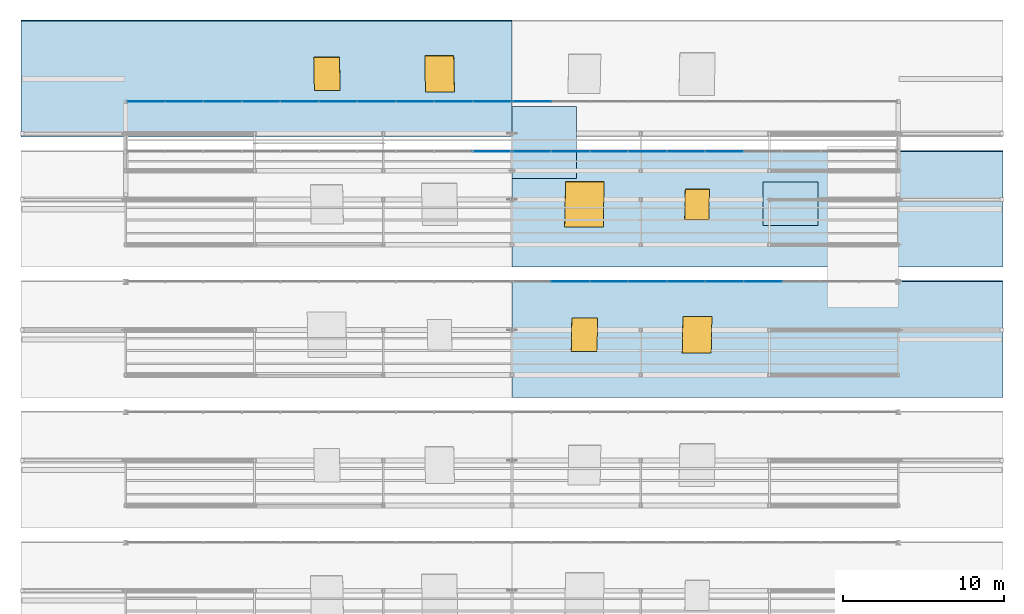
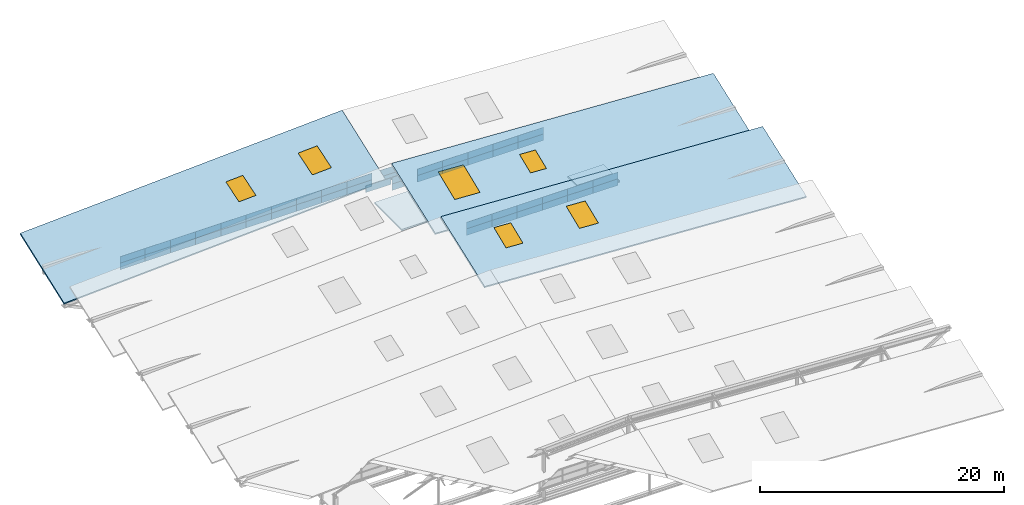
# One storey, part 130 of 141: 47 plates, 6 windows, 5 slabs, 6 openings, 6 elements without a shape of their own.
"""IFC4 building model written with IfcOpenShell, lengths in metres."""

from ifc_helpers import new_model, si_unit, direction, frame, origin, origin_2d, place, context, subcontext, project, spatial, polyline, rectangle, outline, extrude, material, layer, layer_set, type_object, element, fill, aggregate, save


model = new_model("IFC4")

# Units and contexts
model_context = context("Model", 3, precision=1e-05, world=origin(), true_north=direction((0.0, 1.0)))
body_context = subcontext(model_context, "Body", "Model", "MODEL_VIEW")
ifc_project = project(units=[si_unit("LENGTHUNIT", "METRE"), si_unit("AREAUNIT", "SQUARE_METRE"), si_unit("VOLUMEUNIT", "CUBIC_METRE"), si_unit("PLANEANGLEUNIT", "RADIAN"), si_unit("MASSUNIT", "GRAM", prefix="KILO")], contexts=[model_context])

# Site, building, storey
site_placement = place(None, origin())
site = spatial("IfcSite", under=ifc_project, at=site_placement, CompositionType="ELEMENT")
building_placement = place(site_placement, origin())
building = spatial("IfcBuilding", under=site, at=building_placement, Name="Sundkrona Museum", CompositionType="ELEMENT")
storey_placement = place(building_placement, frame((0.0, 0.0, 34.0)))
storey = spatial("IfcBuildingStorey", under=building, at=storey_placement, Name="RF", CompositionType="ELEMENT", Elevation=34.0)

# Curtain wall, plates
ifc_material_1 = material(Name="Unitised Aluminium-Steel and Ceramic-Clad Curtain Walling", Category="steel")
curtain_wall_type = type_object("IfcCurtainWallType", Name="CW-SW-240x13", PredefinedType="NOTDEFINED", material=ifc_material_1)
curtain_wall_1_placement = place(storey_placement, origin())
curtain_wall_1 = element("IfcCurtainWall", 1, at=curtain_wall_1_placement, inside=storey, type_object=curtain_wall_type, Name="Sawtooth Bay 5 East North-Light Clerestory", PredefinedType="NOTDEFINED")
ifc_material_2 = material(Name="North-Light Diffusing Triple Glazing 32 mm", Category="glass")
ifc_layer_1 = layer(ifc_material_2, 0.031982421875)
ifc_layer_set_1 = layer_set([ifc_layer_1], Name="North-Light Diffusing Triple Glazing 32 mm")
plate_type = type_object("IfcPlateType", Name="PN-GL-02", PredefinedType="CURTAIN_PANEL", material=ifc_layer_set_1)
plate_1_placement = place(storey_placement, frame((147.635009765625, 34.60009765625, 3.89306640625), z_axis=(0.0, 0.0, 1.0), x_axis=(1.0, 0.0, 0.0)))
plate_1 = element("IfcPlate", 2, at=plate_1_placement, type_object=plate_type, Name="CW-RF-SAW-05E Panel 03", PredefinedType="CURTAIN_PANEL", context=body_context, shape_type="SweptSolid", body=[
    extrude(rectangle(XDim=2.389892578125, YDim=0.031982421875, at=origin_2d()), origin(), (0.0, 0.0, 1.0), 0.659912109375),
])
plate_2_placement = place(storey_placement, frame((147.635009765625, 34.60009765625, 4.55322265625), z_axis=(0.0, 0.0, 1.0), x_axis=(1.0, 0.0, 0.0)))
plate_2 = element("IfcPlate", 3, at=plate_2_placement, type_object=plate_type, Name="CW-RF-SAW-05E Panel 04", PredefinedType="CURTAIN_PANEL", context=body_context, shape_type="SweptSolid", body=[
    extrude(rectangle(XDim=2.389892578125, YDim=0.031982421875, at=origin_2d()), origin(), (0.0, 0.0, 1.0), 0.659912109375),
])
plate_3_placement = place(storey_placement, frame((150.02490234375, 34.60009765625, 3.89306640625), z_axis=(0.0, 0.0, 1.0), x_axis=(1.0, 0.0, 0.0)))
plate_3 = element("IfcPlate", 4, at=plate_3_placement, type_object=plate_type, Name="CW-RF-SAW-05E Panel 05", PredefinedType="CURTAIN_PANEL", context=body_context, shape_type="SweptSolid", body=[
    extrude(rectangle(XDim=2.389892578125, YDim=0.031982421875, at=origin_2d()), origin(), (0.0, 0.0, 1.0), 0.659912109375),
])
plate_4_placement = place(storey_placement, frame((150.02490234375, 34.60009765625, 4.55322265625), z_axis=(0.0, 0.0, 1.0), x_axis=(1.0, 0.0, 0.0)))
plate_4 = element("IfcPlate", 5, at=plate_4_placement, type_object=plate_type, Name="CW-RF-SAW-05E Panel 06", PredefinedType="CURTAIN_PANEL", context=body_context, shape_type="SweptSolid", body=[
    extrude(rectangle(XDim=2.389892578125, YDim=0.031982421875, at=origin_2d()), origin(), (0.0, 0.0, 1.0), 0.659912109375),
])
plate_5_placement = place(storey_placement, frame((152.4150390625, 34.60009765625, 3.89306640625), z_axis=(0.0, 0.0, 1.0), x_axis=(1.0, 0.0, 0.0)))
plate_5 = element("IfcPlate", 6, at=plate_5_placement, type_object=plate_type, Name="CW-RF-SAW-05E Panel 07", PredefinedType="CURTAIN_PANEL", context=body_context, shape_type="SweptSolid", body=[
    extrude(rectangle(XDim=2.389892578125, YDim=0.031982421875, at=origin_2d()), origin(), (0.0, 0.0, 1.0), 0.659912109375),
])
plate_6_placement = place(storey_placement, frame((152.4150390625, 34.60009765625, 4.55322265625), z_axis=(0.0, 0.0, 1.0), x_axis=(1.0, 0.0, 0.0)))
plate_6 = element("IfcPlate", 7, at=plate_6_placement, type_object=plate_type, Name="CW-RF-SAW-05E Panel 08", PredefinedType="CURTAIN_PANEL", context=body_context, shape_type="SweptSolid", body=[
    extrude(rectangle(XDim=2.389892578125, YDim=0.031982421875, at=origin_2d()), origin(), (0.0, 0.0, 1.0), 0.659912109375),
])
plate_7_placement = place(storey_placement, frame((154.804931640625, 34.60009765625, 3.89306640625), z_axis=(0.0, 0.0, 1.0), x_axis=(1.0, 0.0, 0.0)))
plate_7 = element("IfcPlate", 8, at=plate_7_placement, type_object=plate_type, Name="CW-RF-SAW-05E Panel 09", PredefinedType="CURTAIN_PANEL", context=body_context, shape_type="SweptSolid", body=[
    extrude(rectangle(XDim=2.389892578125, YDim=0.031982421875, at=origin_2d()), origin(), (0.0, 0.0, 1.0), 0.659912109375),
])
plate_8_placement = place(storey_placement, frame((154.804931640625, 34.60009765625, 4.55322265625), z_axis=(0.0, 0.0, 1.0), x_axis=(1.0, 0.0, 0.0)))
plate_8 = element("IfcPlate", 9, at=plate_8_placement, type_object=plate_type, Name="CW-RF-SAW-05E Panel 10", PredefinedType="CURTAIN_PANEL", context=body_context, shape_type="SweptSolid", body=[
    extrude(rectangle(XDim=2.389892578125, YDim=0.031982421875, at=origin_2d()), origin(), (0.0, 0.0, 1.0), 0.659912109375),
])
plate_9_placement = place(storey_placement, frame((157.195068359375, 34.60009765625, 3.89306640625), z_axis=(0.0, 0.0, 1.0), x_axis=(1.0, 0.0, 0.0)))
plate_9 = element("IfcPlate", 10, at=plate_9_placement, type_object=plate_type, Name="CW-RF-SAW-05E Panel 11", PredefinedType="CURTAIN_PANEL", context=body_context, shape_type="SweptSolid", body=[
    extrude(rectangle(XDim=2.389892578125, YDim=0.031982421875, at=origin_2d()), origin(), (0.0, 0.0, 1.0), 0.659912109375),
])
plate_10_placement = place(storey_placement, frame((157.195068359375, 34.60009765625, 4.55322265625), z_axis=(0.0, 0.0, 1.0), x_axis=(1.0, 0.0, 0.0)))
plate_10 = element("IfcPlate", 11, at=plate_10_placement, type_object=plate_type, Name="CW-RF-SAW-05E Panel 12", PredefinedType="CURTAIN_PANEL", context=body_context, shape_type="SweptSolid", body=[
    extrude(rectangle(XDim=2.389892578125, YDim=0.031982421875, at=origin_2d()), origin(), (0.0, 0.0, 1.0), 0.659912109375),
])
plate_11_placement = place(storey_placement, frame((159.5849609375, 34.60009765625, 3.89306640625), z_axis=(0.0, 0.0, 1.0), x_axis=(1.0, 0.0, 0.0)))
plate_11 = element("IfcPlate", 12, at=plate_11_placement, type_object=plate_type, Name="CW-RF-SAW-05E Panel 13", PredefinedType="CURTAIN_PANEL", context=body_context, shape_type="SweptSolid", body=[
    extrude(rectangle(XDim=2.389892578125, YDim=0.031982421875, at=origin_2d()), origin(), (0.0, 0.0, 1.0), 0.659912109375),
])
plate_12_placement = place(storey_placement, frame((159.5849609375, 34.60009765625, 4.55322265625), z_axis=(0.0, 0.0, 1.0), x_axis=(1.0, 0.0, 0.0)))
plate_12 = element("IfcPlate", 13, at=plate_12_placement, type_object=plate_type, Name="CW-RF-SAW-05E Panel 14", PredefinedType="CURTAIN_PANEL", context=body_context, shape_type="SweptSolid", body=[
    extrude(rectangle(XDim=2.389892578125, YDim=0.031982421875, at=origin_2d()), origin(), (0.0, 0.0, 1.0), 0.659912109375),
])
aggregate(curtain_wall_1, [plate_1, plate_2, plate_3, plate_4, plate_5, plate_6, plate_7, plate_8, plate_9, plate_10, plate_11, plate_12])

# Curtain wall, plate
curtain_wall_2_placement = place(storey_placement, origin())
curtain_wall_2 = element("IfcCurtainWall", 14, at=curtain_wall_2_placement, inside=storey, type_object=curtain_wall_type, Name="Sawtooth Bay 6 West North-Light Clerestory", PredefinedType="NOTDEFINED")
plate_13_placement = place(storey_placement, frame((142.7548828125, 42.699951171875, 4.97314453125), z_axis=(0.0, 0.0, 1.0), x_axis=(1.0, 0.0, 0.0)))
plate_13 = element("IfcPlate", 15, at=plate_13_placement, type_object=plate_type, Name="CW-RF-SAW-06W Panel 20", PredefinedType="CURTAIN_PANEL", context=body_context, shape_type="SweptSolid", body=[
    extrude(rectangle(XDim=2.389892578125, YDim=0.031982421875, at=origin_2d()), origin(), (0.0, 0.0, 1.0), 0.659912109375),
])
aggregate(curtain_wall_2, [plate_13])

# Curtain wall, plates
curtain_wall_3_placement = place(storey_placement, origin())
curtain_wall_3 = element("IfcCurtainWall", 16, at=curtain_wall_3_placement, inside=storey, type_object=curtain_wall_type, Name="Sawtooth Bay 6 East North-Light Clerestory", PredefinedType="NOTDEFINED")
plate_14_placement = place(storey_placement, frame((145.2451171875, 42.699951171875, 4.31298828125), z_axis=(0.0, 0.0, 1.0), x_axis=(1.0, 0.0, 0.0)))
plate_14 = element("IfcPlate", 17, at=plate_14_placement, type_object=plate_type, Name="CW-RF-SAW-06E Panel 01", PredefinedType="CURTAIN_PANEL", context=body_context, shape_type="SweptSolid", body=[
    extrude(rectangle(XDim=2.389892578125, YDim=0.031982421875, at=origin_2d()), origin(), (0.0, 0.0, 1.0), 0.659912109375),
])
plate_15_placement = place(storey_placement, frame((145.2451171875, 42.699951171875, 4.97314453125), z_axis=(0.0, 0.0, 1.0), x_axis=(1.0, 0.0, 0.0)))
plate_15 = element("IfcPlate", 18, at=plate_15_placement, type_object=plate_type, Name="CW-RF-SAW-06E Panel 02", PredefinedType="CURTAIN_PANEL", context=body_context, shape_type="SweptSolid", body=[
    extrude(rectangle(XDim=2.389892578125, YDim=0.031982421875, at=origin_2d()), origin(), (0.0, 0.0, 1.0), 0.659912109375),
])
plate_16_placement = place(storey_placement, frame((147.635009765625, 42.699951171875, 4.31298828125), z_axis=(0.0, 0.0, 1.0), x_axis=(1.0, 0.0, 0.0)))
plate_16 = element("IfcPlate", 19, at=plate_16_placement, type_object=plate_type, Name="CW-RF-SAW-06E Panel 03", PredefinedType="CURTAIN_PANEL", context=body_context, shape_type="SweptSolid", body=[
    extrude(rectangle(XDim=2.389892578125, YDim=0.031982421875, at=origin_2d()), origin(), (0.0, 0.0, 1.0), 0.659912109375),
])
plate_17_placement = place(storey_placement, frame((147.635009765625, 42.699951171875, 4.97314453125), z_axis=(0.0, 0.0, 1.0), x_axis=(1.0, 0.0, 0.0)))
plate_17 = element("IfcPlate", 20, at=plate_17_placement, type_object=plate_type, Name="CW-RF-SAW-06E Panel 04", PredefinedType="CURTAIN_PANEL", context=body_context, shape_type="SweptSolid", body=[
    extrude(rectangle(XDim=2.389892578125, YDim=0.031982421875, at=origin_2d()), origin(), (0.0, 0.0, 1.0), 0.659912109375),
])
plate_18_placement = place(storey_placement, frame((150.02490234375, 42.699951171875, 4.31298828125), z_axis=(0.0, 0.0, 1.0), x_axis=(1.0, 0.0, 0.0)))
plate_18 = element("IfcPlate", 21, at=plate_18_placement, type_object=plate_type, Name="CW-RF-SAW-06E Panel 05", PredefinedType="CURTAIN_PANEL", context=body_context, shape_type="SweptSolid", body=[
    extrude(rectangle(XDim=2.389892578125, YDim=0.031982421875, at=origin_2d()), origin(), (0.0, 0.0, 1.0), 0.659912109375),
])
plate_19_placement = place(storey_placement, frame((150.02490234375, 42.699951171875, 4.97314453125), z_axis=(0.0, 0.0, 1.0), x_axis=(1.0, 0.0, 0.0)))
plate_19 = element("IfcPlate", 22, at=plate_19_placement, type_object=plate_type, Name="CW-RF-SAW-06E Panel 06", PredefinedType="CURTAIN_PANEL", context=body_context, shape_type="SweptSolid", body=[
    extrude(rectangle(XDim=2.389892578125, YDim=0.031982421875, at=origin_2d()), origin(), (0.0, 0.0, 1.0), 0.659912109375),
])
plate_20_placement = place(storey_placement, frame((152.4150390625, 42.699951171875, 4.31298828125), z_axis=(0.0, 0.0, 1.0), x_axis=(1.0, 0.0, 0.0)))
plate_20 = element("IfcPlate", 23, at=plate_20_placement, type_object=plate_type, Name="CW-RF-SAW-06E Panel 07", PredefinedType="CURTAIN_PANEL", context=body_context, shape_type="SweptSolid", body=[
    extrude(rectangle(XDim=2.389892578125, YDim=0.031982421875, at=origin_2d()), origin(), (0.0, 0.0, 1.0), 0.659912109375),
])
plate_21_placement = place(storey_placement, frame((152.4150390625, 42.699951171875, 4.97314453125), z_axis=(0.0, 0.0, 1.0), x_axis=(1.0, 0.0, 0.0)))
plate_21 = element("IfcPlate", 24, at=plate_21_placement, type_object=plate_type, Name="CW-RF-SAW-06E Panel 08", PredefinedType="CURTAIN_PANEL", context=body_context, shape_type="SweptSolid", body=[
    extrude(rectangle(XDim=2.389892578125, YDim=0.031982421875, at=origin_2d()), origin(), (0.0, 0.0, 1.0), 0.659912109375),
])
plate_22_placement = place(storey_placement, frame((154.804931640625, 42.699951171875, 4.31298828125), z_axis=(0.0, 0.0, 1.0), x_axis=(1.0, 0.0, 0.0)))
plate_22 = element("IfcPlate", 25, at=plate_22_placement, type_object=plate_type, Name="CW-RF-SAW-06E Panel 09", PredefinedType="CURTAIN_PANEL", context=body_context, shape_type="SweptSolid", body=[
    extrude(rectangle(XDim=2.389892578125, YDim=0.031982421875, at=origin_2d()), origin(), (0.0, 0.0, 1.0), 0.659912109375),
])
plate_23_placement = place(storey_placement, frame((154.804931640625, 42.699951171875, 4.97314453125), z_axis=(0.0, 0.0, 1.0), x_axis=(1.0, 0.0, 0.0)))
plate_23 = element("IfcPlate", 26, at=plate_23_placement, type_object=plate_type, Name="CW-RF-SAW-06E Panel 10", PredefinedType="CURTAIN_PANEL", context=body_context, shape_type="SweptSolid", body=[
    extrude(rectangle(XDim=2.389892578125, YDim=0.031982421875, at=origin_2d()), origin(), (0.0, 0.0, 1.0), 0.659912109375),
])
plate_24_placement = place(storey_placement, frame((157.195068359375, 42.699951171875, 4.31298828125), z_axis=(0.0, 0.0, 1.0), x_axis=(1.0, 0.0, 0.0)))
plate_24 = element("IfcPlate", 27, at=plate_24_placement, type_object=plate_type, Name="CW-RF-SAW-06E Panel 11", PredefinedType="CURTAIN_PANEL", context=body_context, shape_type="SweptSolid", body=[
    extrude(rectangle(XDim=2.389892578125, YDim=0.031982421875, at=origin_2d()), origin(), (0.0, 0.0, 1.0), 0.659912109375),
])
plate_25_placement = place(storey_placement, frame((157.195068359375, 42.699951171875, 4.97314453125), z_axis=(0.0, 0.0, 1.0), x_axis=(1.0, 0.0, 0.0)))
plate_25 = element("IfcPlate", 28, at=plate_25_placement, type_object=plate_type, Name="CW-RF-SAW-06E Panel 12", PredefinedType="CURTAIN_PANEL", context=body_context, shape_type="SweptSolid", body=[
    extrude(rectangle(XDim=2.389892578125, YDim=0.031982421875, at=origin_2d()), origin(), (0.0, 0.0, 1.0), 0.659912109375),
])
aggregate(curtain_wall_3, [plate_14, plate_15, plate_16, plate_17, plate_18, plate_19, plate_20, plate_21, plate_22, plate_23, plate_24, plate_25])

curtain_wall_4_placement = place(storey_placement, origin())
curtain_wall_4 = element("IfcCurtainWall", 29, at=curtain_wall_4_placement, inside=storey, type_object=curtain_wall_type, Name="Sawtooth Bay 7 West North-Light Clerestory", PredefinedType="NOTDEFINED")
plate_26_placement = place(storey_placement, frame((121.2451171875, 45.800048828125, 2.89306640625), z_axis=(0.0, 0.0, 1.0), x_axis=(1.0, 0.0, 0.0)))
plate_26 = element("IfcPlate", 30, at=plate_26_placement, type_object=plate_type, Name="CW-RF-SAW-07W Panel 01", PredefinedType="CURTAIN_PANEL", context=body_context, shape_type="SweptSolid", body=[
    extrude(rectangle(XDim=2.389892578125, YDim=0.031982421875, at=origin_2d()), origin(), (0.0, 0.0, 1.0), 0.659912109375),
])
plate_27_placement = place(storey_placement, frame((121.2451171875, 45.800048828125, 3.55322265625), z_axis=(0.0, 0.0, 1.0), x_axis=(1.0, 0.0, 0.0)))
plate_27 = element("IfcPlate", 31, at=plate_27_placement, type_object=plate_type, Name="CW-RF-SAW-07W Panel 02", PredefinedType="CURTAIN_PANEL", context=body_context, shape_type="SweptSolid", body=[
    extrude(rectangle(XDim=2.389892578125, YDim=0.031982421875, at=origin_2d()), origin(), (0.0, 0.0, 1.0), 0.659912109375),
])
plate_28_placement = place(storey_placement, frame((123.635009765625, 45.800048828125, 2.89306640625), z_axis=(0.0, 0.0, 1.0), x_axis=(1.0, 0.0, 0.0)))
plate_28 = element("IfcPlate", 32, at=plate_28_placement, type_object=plate_type, Name="CW-RF-SAW-07W Panel 03", PredefinedType="CURTAIN_PANEL", context=body_context, shape_type="SweptSolid", body=[
    extrude(rectangle(XDim=2.389892578125, YDim=0.031982421875, at=origin_2d()), origin(), (0.0, 0.0, 1.0), 0.659912109375),
])
plate_29_placement = place(storey_placement, frame((123.635009765625, 45.800048828125, 3.55322265625), z_axis=(0.0, 0.0, 1.0), x_axis=(1.0, 0.0, 0.0)))
plate_29 = element("IfcPlate", 33, at=plate_29_placement, type_object=plate_type, Name="CW-RF-SAW-07W Panel 04", PredefinedType="CURTAIN_PANEL", context=body_context, shape_type="SweptSolid", body=[
    extrude(rectangle(XDim=2.389892578125, YDim=0.031982421875, at=origin_2d()), origin(), (0.0, 0.0, 1.0), 0.659912109375),
])
plate_30_placement = place(storey_placement, frame((126.02490234375, 45.800048828125, 2.89306640625), z_axis=(0.0, 0.0, 1.0), x_axis=(1.0, 0.0, 0.0)))
plate_30 = element("IfcPlate", 34, at=plate_30_placement, type_object=plate_type, Name="CW-RF-SAW-07W Panel 05", PredefinedType="CURTAIN_PANEL", context=body_context, shape_type="SweptSolid", body=[
    extrude(rectangle(XDim=2.389892578125, YDim=0.031982421875, at=origin_2d()), origin(), (0.0, 0.0, 1.0), 0.659912109375),
])
plate_31_placement = place(storey_placement, frame((126.02490234375, 45.800048828125, 3.55322265625), z_axis=(0.0, 0.0, 1.0), x_axis=(1.0, 0.0, 0.0)))
plate_31 = element("IfcPlate", 35, at=plate_31_placement, type_object=plate_type, Name="CW-RF-SAW-07W Panel 06", PredefinedType="CURTAIN_PANEL", context=body_context, shape_type="SweptSolid", body=[
    extrude(rectangle(XDim=2.389892578125, YDim=0.031982421875, at=origin_2d()), origin(), (0.0, 0.0, 1.0), 0.659912109375),
])
plate_32_placement = place(storey_placement, frame((128.4150390625, 45.800048828125, 2.89306640625), z_axis=(0.0, 0.0, 1.0), x_axis=(1.0, 0.0, 0.0)))
plate_32 = element("IfcPlate", 36, at=plate_32_placement, type_object=plate_type, Name="CW-RF-SAW-07W Panel 07", PredefinedType="CURTAIN_PANEL", context=body_context, shape_type="SweptSolid", body=[
    extrude(rectangle(XDim=2.389892578125, YDim=0.031982421875, at=origin_2d()), origin(), (0.0, 0.0, 1.0), 0.659912109375),
])
plate_33_placement = place(storey_placement, frame((128.4150390625, 45.800048828125, 3.55322265625), z_axis=(0.0, 0.0, 1.0), x_axis=(1.0, 0.0, 0.0)))
plate_33 = element("IfcPlate", 37, at=plate_33_placement, type_object=plate_type, Name="CW-RF-SAW-07W Panel 08", PredefinedType="CURTAIN_PANEL", context=body_context, shape_type="SweptSolid", body=[
    extrude(rectangle(XDim=2.389892578125, YDim=0.031982421875, at=origin_2d()), origin(), (0.0, 0.0, 1.0), 0.659912109375),
])
plate_34_placement = place(storey_placement, frame((130.804931640625, 45.800048828125, 2.89306640625), z_axis=(0.0, 0.0, 1.0), x_axis=(1.0, 0.0, 0.0)))
plate_34 = element("IfcPlate", 38, at=plate_34_placement, type_object=plate_type, Name="CW-RF-SAW-07W Panel 09", PredefinedType="CURTAIN_PANEL", context=body_context, shape_type="SweptSolid", body=[
    extrude(rectangle(XDim=2.389892578125, YDim=0.031982421875, at=origin_2d()), origin(), (0.0, 0.0, 1.0), 0.659912109375),
])
plate_35_placement = place(storey_placement, frame((130.804931640625, 45.800048828125, 3.55322265625), z_axis=(0.0, 0.0, 1.0), x_axis=(1.0, 0.0, 0.0)))
plate_35 = element("IfcPlate", 39, at=plate_35_placement, type_object=plate_type, Name="CW-RF-SAW-07W Panel 10", PredefinedType="CURTAIN_PANEL", context=body_context, shape_type="SweptSolid", body=[
    extrude(rectangle(XDim=2.389892578125, YDim=0.031982421875, at=origin_2d()), origin(), (0.0, 0.0, 1.0), 0.659912109375),
])
plate_36_placement = place(storey_placement, frame((133.195068359375, 45.800048828125, 2.89306640625), z_axis=(0.0, 0.0, 1.0), x_axis=(1.0, 0.0, 0.0)))
plate_36 = element("IfcPlate", 40, at=plate_36_placement, type_object=plate_type, Name="CW-RF-SAW-07W Panel 11", PredefinedType="CURTAIN_PANEL", context=body_context, shape_type="SweptSolid", body=[
    extrude(rectangle(XDim=2.389892578125, YDim=0.031982421875, at=origin_2d()), origin(), (0.0, 0.0, 1.0), 0.659912109375),
])
plate_37_placement = place(storey_placement, frame((133.195068359375, 45.800048828125, 3.55322265625), z_axis=(0.0, 0.0, 1.0), x_axis=(1.0, 0.0, 0.0)))
plate_37 = element("IfcPlate", 41, at=plate_37_placement, type_object=plate_type, Name="CW-RF-SAW-07W Panel 12", PredefinedType="CURTAIN_PANEL", context=body_context, shape_type="SweptSolid", body=[
    extrude(rectangle(XDim=2.389892578125, YDim=0.031982421875, at=origin_2d()), origin(), (0.0, 0.0, 1.0), 0.659912109375),
])
plate_38_placement = place(storey_placement, frame((135.5849609375, 45.800048828125, 2.89306640625), z_axis=(0.0, 0.0, 1.0), x_axis=(1.0, 0.0, 0.0)))
plate_38 = element("IfcPlate", 42, at=plate_38_placement, type_object=plate_type, Name="CW-RF-SAW-07W Panel 13", PredefinedType="CURTAIN_PANEL", context=body_context, shape_type="SweptSolid", body=[
    extrude(rectangle(XDim=2.389892578125, YDim=0.031982421875, at=origin_2d()), origin(), (0.0, 0.0, 1.0), 0.659912109375),
])
plate_39_placement = place(storey_placement, frame((135.5849609375, 45.800048828125, 3.55322265625), z_axis=(0.0, 0.0, 1.0), x_axis=(1.0, 0.0, 0.0)))
plate_39 = element("IfcPlate", 43, at=plate_39_placement, type_object=plate_type, Name="CW-RF-SAW-07W Panel 14", PredefinedType="CURTAIN_PANEL", context=body_context, shape_type="SweptSolid", body=[
    extrude(rectangle(XDim=2.389892578125, YDim=0.031982421875, at=origin_2d()), origin(), (0.0, 0.0, 1.0), 0.659912109375),
])
plate_40_placement = place(storey_placement, frame((137.97509765625, 45.800048828125, 2.89306640625), z_axis=(0.0, 0.0, 1.0), x_axis=(1.0, 0.0, 0.0)))
plate_40 = element("IfcPlate", 44, at=plate_40_placement, type_object=plate_type, Name="CW-RF-SAW-07W Panel 15", PredefinedType="CURTAIN_PANEL", context=body_context, shape_type="SweptSolid", body=[
    extrude(rectangle(XDim=2.389892578125, YDim=0.031982421875, at=origin_2d()), origin(), (0.0, 0.0, 1.0), 0.659912109375),
])
plate_41_placement = place(storey_placement, frame((137.97509765625, 45.800048828125, 3.55322265625), z_axis=(0.0, 0.0, 1.0), x_axis=(1.0, 0.0, 0.0)))
plate_41 = element("IfcPlate", 45, at=plate_41_placement, type_object=plate_type, Name="CW-RF-SAW-07W Panel 16", PredefinedType="CURTAIN_PANEL", context=body_context, shape_type="SweptSolid", body=[
    extrude(rectangle(XDim=2.389892578125, YDim=0.031982421875, at=origin_2d()), origin(), (0.0, 0.0, 1.0), 0.659912109375),
])
plate_42_placement = place(storey_placement, frame((140.364990234375, 45.800048828125, 2.89306640625), z_axis=(0.0, 0.0, 1.0), x_axis=(1.0, 0.0, 0.0)))
plate_42 = element("IfcPlate", 46, at=plate_42_placement, type_object=plate_type, Name="CW-RF-SAW-07W Panel 17", PredefinedType="CURTAIN_PANEL", context=body_context, shape_type="SweptSolid", body=[
    extrude(rectangle(XDim=2.389892578125, YDim=0.031982421875, at=origin_2d()), origin(), (0.0, 0.0, 1.0), 0.659912109375),
])
plate_43_placement = place(storey_placement, frame((140.364990234375, 45.800048828125, 3.55322265625), z_axis=(0.0, 0.0, 1.0), x_axis=(1.0, 0.0, 0.0)))
plate_43 = element("IfcPlate", 47, at=plate_43_placement, type_object=plate_type, Name="CW-RF-SAW-07W Panel 18", PredefinedType="CURTAIN_PANEL", context=body_context, shape_type="SweptSolid", body=[
    extrude(rectangle(XDim=2.389892578125, YDim=0.031982421875, at=origin_2d()), origin(), (0.0, 0.0, 1.0), 0.659912109375),
])
plate_44_placement = place(storey_placement, frame((142.7548828125, 45.800048828125, 2.89306640625), z_axis=(0.0, 0.0, 1.0), x_axis=(1.0, 0.0, 0.0)))
plate_44 = element("IfcPlate", 48, at=plate_44_placement, type_object=plate_type, Name="CW-RF-SAW-07W Panel 19", PredefinedType="CURTAIN_PANEL", context=body_context, shape_type="SweptSolid", body=[
    extrude(rectangle(XDim=2.389892578125, YDim=0.031982421875, at=origin_2d()), origin(), (0.0, 0.0, 1.0), 0.659912109375),
])
plate_45_placement = place(storey_placement, frame((142.7548828125, 45.800048828125, 3.55322265625), z_axis=(0.0, 0.0, 1.0), x_axis=(1.0, 0.0, 0.0)))
plate_45 = element("IfcPlate", 49, at=plate_45_placement, type_object=plate_type, Name="CW-RF-SAW-07W Panel 20", PredefinedType="CURTAIN_PANEL", context=body_context, shape_type="SweptSolid", body=[
    extrude(rectangle(XDim=2.389892578125, YDim=0.031982421875, at=origin_2d()), origin(), (0.0, 0.0, 1.0), 0.659912109375),
])
aggregate(curtain_wall_4, [plate_26, plate_27, plate_28, plate_29, plate_30, plate_31, plate_32, plate_33, plate_34, plate_35, plate_36, plate_37, plate_38, plate_39, plate_40, plate_41, plate_42, plate_43, plate_44, plate_45])

curtain_wall_5_placement = place(storey_placement, origin())
curtain_wall_5 = element("IfcCurtainWall", 50, at=curtain_wall_5_placement, inside=storey, type_object=curtain_wall_type, Name="Sawtooth Bay 7 East North-Light Clerestory", PredefinedType="NOTDEFINED")
plate_46_placement = place(storey_placement, frame((145.2451171875, 45.800048828125, 2.89306640625), z_axis=(0.0, 0.0, 1.0), x_axis=(1.0, 0.0, 0.0)))
plate_46 = element("IfcPlate", 51, at=plate_46_placement, type_object=plate_type, Name="CW-RF-SAW-07E Panel 01", PredefinedType="CURTAIN_PANEL", context=body_context, shape_type="SweptSolid", body=[
    extrude(rectangle(XDim=2.389892578125, YDim=0.031982421875, at=origin_2d()), origin(), (0.0, 0.0, 1.0), 0.659912109375),
])
plate_47_placement = place(storey_placement, frame((145.2451171875, 45.800048828125, 3.55322265625), z_axis=(0.0, 0.0, 1.0), x_axis=(1.0, 0.0, 0.0)))
plate_47 = element("IfcPlate", 52, at=plate_47_placement, type_object=plate_type, Name="CW-RF-SAW-07E Panel 02", PredefinedType="CURTAIN_PANEL", context=body_context, shape_type="SweptSolid", body=[
    extrude(rectangle(XDim=2.389892578125, YDim=0.031982421875, at=origin_2d()), origin(), (0.0, 0.0, 1.0), 0.659912109375),
])
aggregate(curtain_wall_5, [plate_46, plate_47])

# Slabs
ifc_material_3 = material(Name="Concrete C35/45", Category="concrete")
ifc_layer_2 = layer(ifc_material_3, 0.159912109375)
ifc_layer_set_2 = layer_set([ifc_layer_2], Name="Concrete C35/45")
slab_type_1 = type_object("IfcSlabType", Name="SL-RF-160", PredefinedType="ROOF", material=ifc_layer_set_2)
slab_1_placement = place(storey_placement, frame((0.0, 0.0, 1.300048828125)))
element("IfcSlab", 53, at=slab_1_placement, inside=storey, type_object=slab_type_1, Name="PL-1 Lift Overrun Cap Slab", PredefinedType="ROOF", context=body_context, shape_type="SweptSolid", body=[
    extrude(outline(polyline([(159.60009765625, 38.10009765625), (163.0, 38.10009765625), (163.0, 40.800048828125), (159.60009765625, 40.800048828125), (159.60009765625, 38.10009765625)])), origin(), (0.0, 0.0, 1.0), 0.159912109375),
])
slab_2_placement = place(storey_placement, frame((0.0, 0.0, 1.300048828125)))
element("IfcSlab", 54, at=slab_2_placement, inside=storey, type_object=slab_type_1, Name="GL-1 Lift Overrun Cap Slab", PredefinedType="ROOF", context=body_context, shape_type="SweptSolid", body=[
    extrude(outline(polyline([(144.0, 41.0), (148.0, 41.0), (148.0, 45.5), (144.0, 45.5), (144.0, 41.0)])), origin(), (0.0, 0.0, 1.0), 0.159912109375),
])

# Roof, slabs, openings, windows
ifc_material_4 = material(Name="Patinated Copper and Composite Steel-Concrete", Category="concrete")
ifc_layer_3 = layer(ifc_material_4, 0.179931640625)
ifc_layer_set_3 = layer_set([ifc_layer_3], Name="Patinated Copper and Composite Steel-Concrete")
roof_type = type_object("IfcRoofType", Name="ROOF-PAV", PredefinedType="PAVILION_ROOF", material=ifc_layer_set_3)
roof_placement = place(storey_placement, origin())
roof = element("IfcRoof", 55, at=roof_placement, inside=storey, type_object=roof_type, Name="Volume 1 Crown Seven-Bay Sawtooth North-Light Roof", PredefinedType="PAVILION_ROOF")
ifc_layer_4 = layer(ifc_material_3, 0.179931640625)
ifc_layer_set_4 = layer_set([ifc_layer_4], Name="Concrete C35/45")
slab_type_2 = type_object("IfcSlabType", Name="SL-SW-180", PredefinedType="ROOF", material=ifc_layer_set_4)
slab_3_placement = place(storey_placement, frame((144.0, 27.39990234375, 3.97998046875), z_axis=(0.050700932326, -0.344939665136, 0.937254524063), x_axis=(0.998540060267, 0.0, -0.05401618314)))
slab_3 = element("IfcSlab", 56, at=slab_3_placement, type_object=slab_type_2, Name="Sawtooth Folded Blade 5 East", PredefinedType="ROOF", context=body_context, shape_type="SweptSolid", body=[
    extrude(outline(polyline([(0.0, 0.0), (30.54459326532131, 1.1102230246251565e-16), (30.40145565501875, 7.671004275456741), (-0.14313761030255945, 7.671004275456741), (0.0, 0.0)])), origin(), (0.0, 0.0, -1.0), 0.179931640625),
])
opening_1_placement = place(slab_3_placement, frame((4.428955078125, 4.1552734375, 0.010009765625)))
opening_1 = element("IfcOpeningElement", 57, at=opening_1_placement, cuts=slab_3, Name="Opening RL-160x220", PredefinedType="OPENING", context=body_context, shape_type="SweptSolid", body=[
    extrude(rectangle(XDim=1.60009765625, YDim=2.199951171875, at=origin_2d()), origin(), (0.0, 0.0, -1.0), 0.199951171875),
])
opening_2_placement = place(slab_3_placement, frame((11.439208984375, 4.1552734375, 0.010009765625)))
opening_2 = element("IfcOpeningElement", 58, at=opening_2_placement, cuts=slab_3, Name="Opening RL-180x240", PredefinedType="OPENING", context=body_context, shape_type="SweptSolid", body=[
    extrude(rectangle(XDim=1.800048828125, YDim=2.39990234375, at=origin_2d()), origin(), (0.0, 0.0, -1.0), 0.199951171875),
])
ifc_material_5 = material(Name="Triple Laminated UV-Filtered Skylight Glazing", Category="glass")
window_type_1 = type_object("IfcWindowType", Name="RL-160x220", PartitioningType="SINGLE_PANEL", PredefinedType="SKYLIGHT", material=ifc_material_5)
window_1_placement = place(slab_3_placement, frame((4.428955078125, 4.1552734375, 0.0)))
window_1 = element("IfcWindow", 59, at=window_1_placement, inside=storey, type_object=window_type_1, Name="Rooflight", OverallHeight=2.199951171875, OverallWidth=1.60009765625, PartitioningType="SINGLE_PANEL", PredefinedType="SKYLIGHT", context=body_context, shape_type="SweptSolid", body=[
    extrude(rectangle(XDim=1.60009765625, YDim=2.199951171875, at=origin_2d()), origin(), (0.0, 0.0, -1.0), 0.06005859375),
])
fill(opening_1, window_1)
window_type_2 = type_object("IfcWindowType", Name="RL-180x240", PartitioningType="SINGLE_PANEL", PredefinedType="SKYLIGHT", material=ifc_material_5)
window_2_placement = place(slab_3_placement, frame((11.439208984375, 4.1552734375, 0.0)))
window_2 = element("IfcWindow", 60, at=window_2_placement, inside=storey, type_object=window_type_2, Name="Rooflight", OverallHeight=2.39990234375, OverallWidth=1.800048828125, PartitioningType="SINGLE_PANEL", PredefinedType="SKYLIGHT", context=body_context, shape_type="SweptSolid", body=[
    extrude(rectangle(XDim=1.800048828125, YDim=2.39990234375, at=origin_2d()), origin(), (0.0, 0.0, -1.0), 0.06005859375),
])
fill(opening_2, window_2)
slab_4_placement = place(storey_placement, frame((144.0, 35.5, 4.39990234375), z_axis=(0.050704191351, -0.344963903747, 0.937245426818), x_axis=(0.998539870354, 1.29212e-06, -0.054019693748)))
slab_4 = element("IfcSlab", 61, at=slab_4_placement, type_object=slab_type_2, Name="Sawtooth Folded Blade 6 East", PredefinedType="ROOF", context=body_context, shape_type="SweptSolid", body=[
    extrude(outline(polyline([(0.0, 0.0), (30.544593265107036, 1.1102230246251565e-16), (30.401455655232013, 7.670775118613867), (-0.14315079827681657, 7.67085921536124), (0.0, 0.0)])), origin(), (0.0, 0.0, -1.0), 0.179931640625),
])
opening_3_placement = place(slab_4_placement, frame((4.428955078125, 4.155029296875, 0.010009765625)))
opening_3 = element("IfcOpeningElement", 62, at=opening_3_placement, cuts=slab_4, Name="Opening RL-240x300", PredefinedType="OPENING", context=body_context, shape_type="SweptSolid", body=[
    extrude(rectangle(XDim=2.39990234375, YDim=3.0, at=origin_2d()), origin(), (0.0, 0.0, -1.0), 0.199951171875),
])
opening_4_placement = place(slab_4_placement, frame((11.439208984375, 4.155029296875, 0.010009765625)))
opening_4 = element("IfcOpeningElement", 63, at=opening_4_placement, cuts=slab_4, Name="Opening RL-150x200", PredefinedType="OPENING", context=body_context, shape_type="SweptSolid", body=[
    extrude(rectangle(XDim=1.5, YDim=2.0, at=origin_2d()), origin(), (0.0, 0.0, -1.0), 0.199951171875),
])
window_type_3 = type_object("IfcWindowType", Name="RL-150x200", PartitioningType="SINGLE_PANEL", PredefinedType="SKYLIGHT", material=ifc_material_5)
window_3_placement = place(slab_4_placement, frame((11.439208984375, 4.155029296875, 0.0)))
window_3 = element("IfcWindow", 64, at=window_3_placement, inside=storey, type_object=window_type_3, Name="Rooflight", OverallHeight=2.0, OverallWidth=1.5, PartitioningType="SINGLE_PANEL", PredefinedType="SKYLIGHT", context=body_context, shape_type="SweptSolid", body=[
    extrude(rectangle(XDim=1.5, YDim=2.0, at=origin_2d()), origin(), (0.0, 0.0, -1.0), 0.06005859375),
])
fill(opening_4, window_3)
window_type_4 = type_object("IfcWindowType", Name="RL-240x300", PartitioningType="SINGLE_PANEL", PredefinedType="SKYLIGHT", material=ifc_material_5)
window_4_placement = place(slab_4_placement, frame((4.428955078125, 4.155029296875, 0.0)))
window_4 = element("IfcWindow", 65, at=window_4_placement, inside=storey, type_object=window_type_4, Name="Rooflight", OverallHeight=3.0, OverallWidth=2.39990234375, PartitioningType="SINGLE_PANEL", PredefinedType="SKYLIGHT", context=body_context, shape_type="SweptSolid", body=[
    extrude(rectangle(XDim=2.39990234375, YDim=3.0, at=origin_2d()), origin(), (0.0, 0.0, -1.0), 0.06005859375),
])
fill(opening_3, window_4)
slab_5_placement = place(storey_placement, frame((113.5, 43.60009765625, 3.169921875), z_axis=(-0.050704191351, -0.344963903747, 0.937245426818), x_axis=(0.998539819047, 1.292119e-06, 0.054020642131)))
slab_5 = element("IfcSlab", 66, at=slab_5_placement, type_object=slab_type_2, Name="Sawtooth Folded Blade 7 West", PredefinedType="ROOF", context=body_context, shape_type="SweptSolid", body=[
    extrude(outline(polyline([(0.0, 0.0), (30.544606453624603, -1.1102230246251565e-16), (30.687765183012875, 7.670774724492062), (0.14317191802160603, 7.670858821203123), (0.0, 0.0)])), origin(), (0.0, 0.0, -1.0), 0.179931640625),
])
opening_5_placement = place(slab_5_placement, frame((19.105224609375, 4.155029296875, 0.010009765625)))
opening_5 = element("IfcOpeningElement", 67, at=opening_5_placement, cuts=slab_5, Name="Opening RL-160x220", PredefinedType="OPENING", context=body_context, shape_type="SweptSolid", body=[
    extrude(rectangle(XDim=1.60009765625, YDim=2.199951171875, at=origin_2d()), origin(), (0.0, 0.0, -1.0), 0.199951171875),
])
opening_6_placement = place(slab_5_placement, frame((26.115478515625, 4.155029296875, 0.010009765625)))
opening_6 = element("IfcOpeningElement", 68, at=opening_6_placement, cuts=slab_5, Name="Opening RL-180x240", PredefinedType="OPENING", context=body_context, shape_type="SweptSolid", body=[
    extrude(rectangle(XDim=1.800048828125, YDim=2.39990234375, at=origin_2d()), origin(), (0.0, 0.0, -1.0), 0.199951171875),
])
window_5_placement = place(slab_5_placement, frame((19.105224609375, 4.155029296875, 0.0)))
window_5 = element("IfcWindow", 69, at=window_5_placement, inside=storey, type_object=window_type_1, Name="Rooflight", OverallHeight=2.199951171875, OverallWidth=1.60009765625, PartitioningType="SINGLE_PANEL", PredefinedType="SKYLIGHT", context=body_context, shape_type="SweptSolid", body=[
    extrude(rectangle(XDim=1.60009765625, YDim=2.199951171875, at=origin_2d()), origin(), (0.0, 0.0, -1.0), 0.06005859375),
])
fill(opening_5, window_5)
window_6_placement = place(slab_5_placement, frame((26.115478515625, 4.155029296875, 0.0)))
window_6 = element("IfcWindow", 70, at=window_6_placement, inside=storey, type_object=window_type_2, Name="Rooflight", OverallHeight=2.39990234375, OverallWidth=1.800048828125, PartitioningType="SINGLE_PANEL", PredefinedType="SKYLIGHT", context=body_context, shape_type="SweptSolid", body=[
    extrude(rectangle(XDim=1.800048828125, YDim=2.39990234375, at=origin_2d()), origin(), (0.0, 0.0, -1.0), 0.06005859375),
])
fill(opening_6, window_6)
aggregate(roof, [slab_3, slab_4, slab_5])

save(model, "model.ifc")
